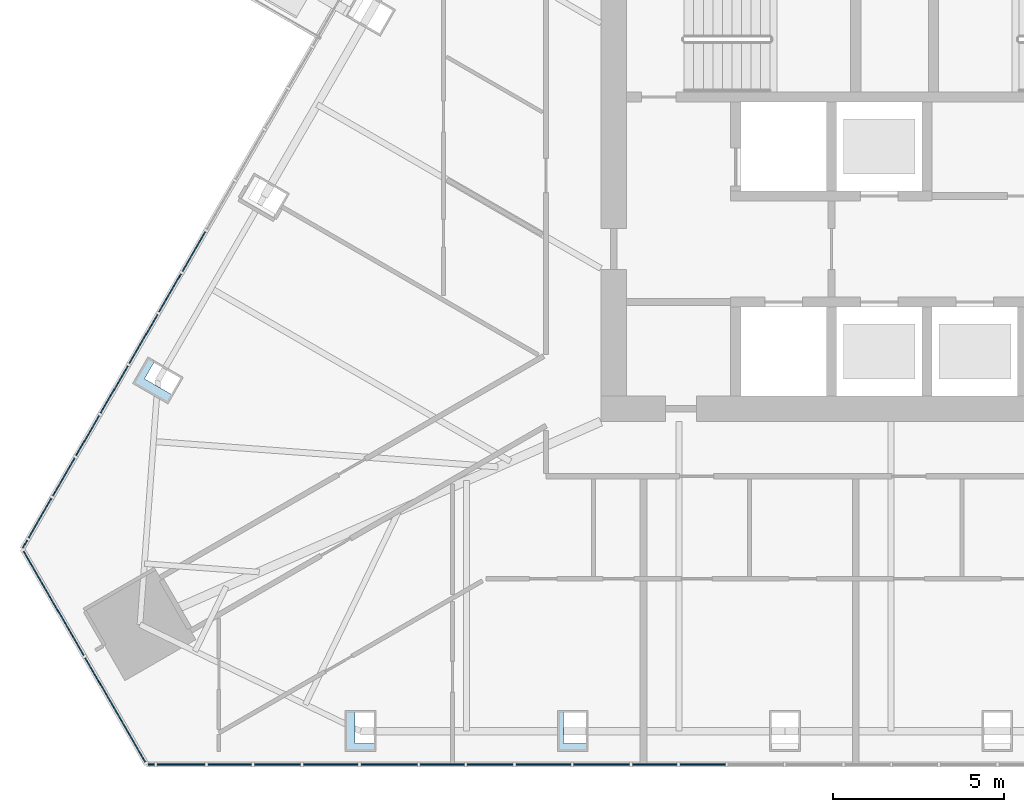
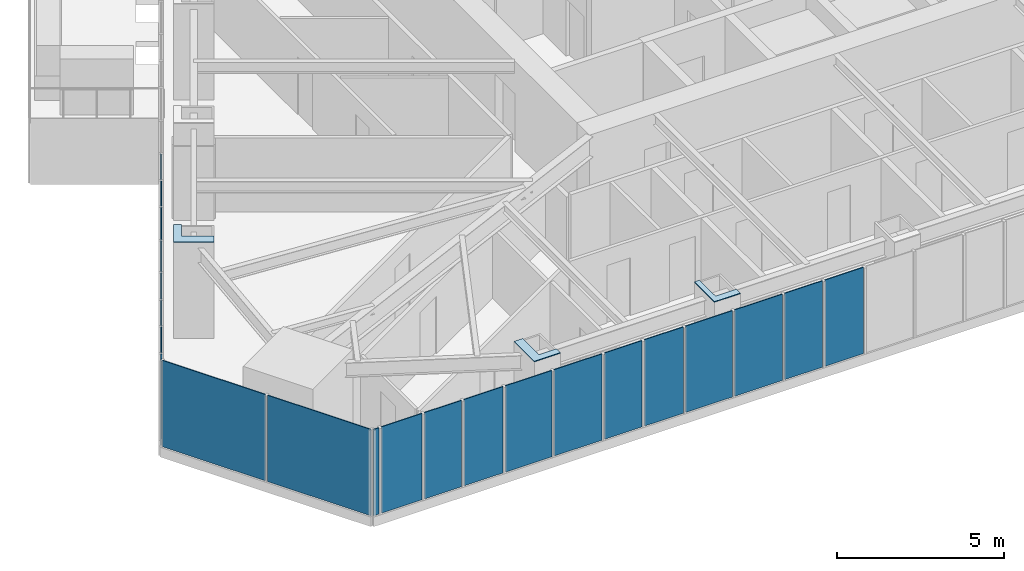
# One storey, part 10 of 22: 25 plates, 3 elements without a shape of their own.
"""IFC4 building model written with IfcOpenShell, lengths in metres."""

from ifc_helpers import new_model, si_unit, direction, frame, origin, place, context, subcontext, project, spatial, polyline, outline, extrude, material, layer, layer_set, type_object, element, aggregate, save


model = new_model("IFC4")

# Units and contexts
model_context = context("Model", 3, precision=1e-05, world=origin(), true_north=direction((0.0, 1.0)))
body_context = subcontext(model_context, "Body", "Model", "MODEL_VIEW")
ifc_project = project(units=[si_unit("LENGTHUNIT", "METRE"), si_unit("AREAUNIT", "SQUARE_METRE"), si_unit("VOLUMEUNIT", "CUBIC_METRE"), si_unit("PLANEANGLEUNIT", "RADIAN"), si_unit("MASSUNIT", "GRAM", prefix="KILO")], contexts=[model_context])

# Site, building, storey
site_placement = place(None, origin())
site = spatial("IfcSite", under=ifc_project, at=site_placement, CompositionType="ELEMENT")
building_placement = place(site_placement, origin())
building = spatial("IfcBuilding", under=site, at=building_placement, Name="Firuza Gate Tower and Library", CompositionType="ELEMENT")
storey_placement = place(building_placement, frame((0.0, 0.0, 295.10009765625)))
storey = spatial("IfcBuildingStorey", under=building, at=storey_placement, Name="L71", CompositionType="ELEMENT", Elevation=295.10009765625)

# Plates
ifc_material_1 = material(Name="Steel S355", Category="steel")
ifc_layer_1 = layer(ifc_material_1, 0.030029296875)
ifc_layer_set_1 = layer_set([ifc_layer_1], Name="Column infill plate 30 Steel S355")
plate_type_1 = type_object("IfcPlateType", Name="Column infill plate 30 Steel S355", PredefinedType="SHEET", material=ifc_layer_set_1)
placement_1 = place(storey_placement, frame((0.0, 0.0, 3.5)))
element("IfcPlate", 1, at=placement_1, inside=storey, type_object=plate_type_1, Name="Infill plate L71:S1", PredefinedType="SHEET", context=body_context, shape_type="SweptSolid", body=[
    extrude(outline(polyline([(59.916748046875, 58.587646484375), (59.916748046875, 58.82470703125), (59.31005859375, 58.82470703125), (59.31005859375, 59.78759765625), (59.0166015625, 59.78759765625), (59.0166015625, 58.587646484375), (59.916748046875, 58.587646484375)])), origin(), (0.0, 0.0, 1.0), 0.02978515625),
])
element("IfcPlate", 2, at=placement_1, inside=storey, type_object=plate_type_1, Name="Infill plate L71:S2", PredefinedType="SHEET", context=body_context, shape_type="SweptSolid", body=[
    extrude(outline(polyline([(66.1298828125, 58.587646484375), (66.1298828125, 58.82470703125), (65.406005859375, 58.82470703125), (65.406005859375, 59.78759765625), (65.22998046875, 59.78759765625), (65.22998046875, 58.587646484375), (66.1298828125, 58.587646484375)])), origin(), (0.0, 0.0, 1.0), 0.02978515625),
])
element("IfcPlate", 3, at=placement_1, inside=storey, type_object=plate_type_1, Name="Infill plate L71:W6", PredefinedType="SHEET", context=body_context, shape_type="SweptSolid", body=[
    extrude(outline(polyline([(53.833984375, 68.76416015625), (53.980712890625, 69.018310546875), (53.146728515625, 69.499755859375), (53.4501953125, 70.025146484375), (53.244873046875, 70.1435546875), (52.794921875, 69.3642578125), (53.833984375, 68.76416015625)])), origin(), (0.0, 0.0, 1.0), 0.02978515625),
])

# Curtain wall, plates
ifc_material_2 = material(Name="Aluminium 6063-T6", Category="aluminium")
ifc_layer_2 = layer(ifc_material_2, 0.14990234375)
ifc_layer_set_2 = layer_set([ifc_layer_2], Name="Corner curtain wall, chamfers")
curtain_wall_type_1 = type_object("IfcCurtainWallType", Name="Corner curtain wall, chamfers", PredefinedType="NOTDEFINED", material=ifc_layer_set_2)
placement_2 = place(storey_placement, origin())
curtain_wall_1 = element("IfcCurtainWall", 4, at=placement_2, inside=storey, type_object=curtain_wall_type_1, Name="CW4 L71 SW corner", PredefinedType="NOTDEFINED")
ifc_material_3 = material(Name="Fritted glass", Category="glass")
ifc_layer_3 = layer(ifc_material_3, 0.030029296875)
ifc_layer_set_3 = layer_set([ifc_layer_3], Name="Fritted glass unit, corners")
plate_type_2 = type_object("IfcPlateType", Name="Fritted glass unit, corners", PredefinedType="CURTAIN_PANEL", material=ifc_layer_set_3)
plate_4_placement = place(storey_placement, frame((49.57373046875, 64.48095703125, 0.14990234375), z_axis=(-0.866016723041, -0.500015035186, 0.0), x_axis=(0.500015035186, -0.866016723041, 0.0)))
plate_4 = element("IfcPlate", 5, at=plate_4_placement, type_object=plate_type_2, Name="Glass unit", PredefinedType="CURTAIN_PANEL", context=body_context, shape_type="SweptSolid", body=[
    extrude(outline(polyline([(0.0, 0.0), (3.5633694106530625, 0.0), (3.5633694106530625, 3.14990234375), (0.0, 3.14990234375), (0.0, 0.0)])), origin(), (0.0, 0.0, -1.0), 0.030029296875),
])
plate_5_placement = place(storey_placement, frame((51.3955078125, 61.32568359375, 0.14990234375), z_axis=(-0.866046390552, -0.49996364809, 0.0), x_axis=(0.49996364809, -0.866046390552, 0.0)))
plate_5 = element("IfcPlate", 6, at=plate_5_placement, type_object=plate_type_2, Name="Glass unit", PredefinedType="CURTAIN_PANEL", context=body_context, shape_type="SweptSolid", body=[
    extrude(outline(polyline([(0.0, 0.0), (3.563247342942594, 0.0), (3.563247342942594, 3.14990234375), (0.0, 3.14990234375), (0.0, 0.0)])), origin(), (0.0, 0.0, -1.0), 0.030029296875),
])
aggregate(curtain_wall_1, [plate_4, plate_5])

ifc_material_4 = material(Name="Aluminium 6063-T6", Category="aluminium")
ifc_layer_4 = layer(ifc_material_4, 0.14990234375)
ifc_layer_set_4 = layer_set([ifc_layer_4], Name="Unitised curtain wall, residences")
curtain_wall_type_2 = type_object("IfcCurtainWallType", Name="Unitised curtain wall, residences", PredefinedType="NOTDEFINED", material=ifc_layer_set_4)
curtain_wall_2 = element("IfcCurtainWall", 7, at=placement_2, inside=storey, type_object=curtain_wall_type_2, Name="CW3 L71 S face", PredefinedType="NOTDEFINED")
ifc_material_5 = material(Name="Fritted glass", Category="glass")
ifc_layer_5 = layer(ifc_material_5, 0.030029296875)
ifc_layer_set_5 = layer_set([ifc_layer_5], Name="Fritted glass unit, residences")
plate_type_3 = type_object("IfcPlateType", Name="Fritted glass unit, residences", PredefinedType="CURTAIN_PANEL", material=ifc_layer_set_5)
plate_6_placement = place(storey_placement, frame((53.51611328125, 58.19775390625, 0.14990234375), z_axis=(0.0, -1.0, 0.0), x_axis=(1.0, 0.0, 0.0)))
plate_6 = element("IfcPlate", 8, at=plate_6_placement, type_object=plate_type_3, Name="Glass unit", PredefinedType="CURTAIN_PANEL", context=body_context, shape_type="SweptSolid", body=[
    extrude(outline(polyline([(0.0, 0.0), (1.405517578125, 0.0), (1.405517578125, 3.14990234375), (0.0, 3.14990234375), (0.0, 0.0)])), origin(), (0.0, 0.0, -1.0), 0.030029296875),
])
plate_7_placement = place(storey_placement, frame((57.798583984375, 58.19775390625, 0.14990234375), z_axis=(0.0, -1.0, 0.0), x_axis=(1.0, 0.0, 0.0)))
plate_7 = element("IfcPlate", 9, at=plate_7_placement, type_object=plate_type_3, Name="Glass unit", PredefinedType="CURTAIN_PANEL", context=body_context, shape_type="SweptSolid", body=[
    extrude(outline(polyline([(0.0, 0.0), (1.59716796875, 0.0), (1.59716796875, 3.14990234375), (0.0, 3.14990234375), (0.0, 0.0)])), origin(), (0.0, 0.0, -1.0), 0.030029296875),
])
plate_8_placement = place(storey_placement, frame((59.475830078125, 58.19775390625, 0.14990234375), z_axis=(0.0, -1.0, 0.0), x_axis=(1.0, 0.0, 0.0)))
plate_8 = element("IfcPlate", 10, at=plate_8_placement, type_object=plate_type_3, Name="Glass unit", PredefinedType="CURTAIN_PANEL", context=body_context, shape_type="SweptSolid", body=[
    extrude(outline(polyline([(0.0, 0.0), (1.658935546875, 0.0), (1.658935546875, 3.14990234375), (0.0, 3.14990234375), (0.0, 0.0)])), origin(), (0.0, 0.0, -1.0), 0.030029296875),
])
plate_9_placement = place(storey_placement, frame((64.01171875, 58.19775390625, 0.14990234375), z_axis=(0.0, -1.0, 0.0), x_axis=(1.0, 0.0, 0.0)))
plate_9 = element("IfcPlate", 11, at=plate_9_placement, type_object=plate_type_3, Name="Glass unit", PredefinedType="CURTAIN_PANEL", context=body_context, shape_type="SweptSolid", body=[
    extrude(outline(polyline([(0.0, 0.0), (1.609619140625, 0.0), (1.609619140625, 3.14990234375), (0.0, 3.14990234375), (0.0, 0.0)])), origin(), (0.0, 0.0, -1.0), 0.030029296875),
])
plate_10_placement = place(storey_placement, frame((65.701416015625, 58.19775390625, 0.14990234375), z_axis=(0.0, -1.0, 0.0), x_axis=(1.0, 0.0, 0.0)))
plate_10 = element("IfcPlate", 12, at=plate_10_placement, type_object=plate_type_3, Name="Glass unit", PredefinedType="CURTAIN_PANEL", context=body_context, shape_type="SweptSolid", body=[
    extrude(outline(polyline([(0.0, 0.0), (1.646728515625, 0.0), (1.646728515625, 3.14990234375), (0.0, 3.14990234375), (0.0, 0.0)])), origin(), (0.0, 0.0, -1.0), 0.030029296875),
])

curtain_wall_3 = element("IfcCurtainWall", 13, at=placement_2, inside=storey, type_object=curtain_wall_type_2, Name="CW3 L71 W face", PredefinedType="NOTDEFINED")
plate_11_placement = place(storey_placement, frame((53.51611328125, 71.3935546875, 0.14990234375), z_axis=(-0.866006690807, 0.500032410427, 0.0), x_axis=(-0.500032410427, -0.866006690807, 0.0)))
plate_11 = element("IfcPlate", 14, at=plate_11_placement, type_object=plate_type_3, Name="Glass unit", PredefinedType="CURTAIN_PANEL", context=body_context, shape_type="SweptSolid", body=[
    extrude(outline(polyline([(0.0, 0.0), (1.6590721450269508, 0.0), (1.6590721450269508, 3.14990234375), (0.0, 3.14990234375), (0.0, 0.0)])), origin(), (0.0, 0.0, -1.0), 0.030029296875),
])
plate_12_placement = place(storey_placement, frame((52.646484375, 69.887451171875, 0.14990234375), z_axis=(-0.866043049997, 0.499969434617, 0.0), x_axis=(-0.499969434617, -0.866043049997, 0.0)))
plate_12 = element("IfcPlate", 15, at=plate_12_placement, type_object=plate_type_3, Name="Glass unit", PredefinedType="CURTAIN_PANEL", context=body_context, shape_type="SweptSolid", body=[
    extrude(outline(polyline([(0.0, 0.0), (1.597265610819663, 0.0), (1.597265610819663, 3.14990234375), (0.0, 3.14990234375), (0.0, 0.0)])), origin(), (0.0, 0.0, -1.0), 0.030029296875),
])
plate_13_placement = place(storey_placement, frame((50.409423828125, 66.0126953125, 0.14990234375), z_axis=(-0.866003567665, 0.500037819361, 0.0), x_axis=(-0.500037819361, -0.866003567665, 0.0)))
plate_13 = element("IfcPlate", 16, at=plate_13_placement, type_object=plate_type_3, Name="Glass unit", PredefinedType="CURTAIN_PANEL", context=body_context, shape_type="SweptSolid", body=[
    extrude(outline(polyline([(0.0, 0.0), (1.3402306579164724, 0.0), (1.3402306579164724, 3.14990234375), (0.0, 3.14990234375), (0.0, 0.0)])), origin(), (0.0, 0.0, -1.0), 0.030029296875),
])

# Plate
ifc_material_6 = material(Name="Glazed ceramic tile")
ifc_layer_6 = layer(ifc_material_6, 0.030029296875)
ifc_layer_set_6 = layer_set([ifc_layer_6], Name="Opaque ceramic panel, residences")
plate_type_4 = type_object("IfcPlateType", Name="Opaque ceramic panel, residences", PredefinedType="CURTAIN_PANEL", material=ifc_layer_set_6)
plate_14_placement = place(storey_placement, frame((53.25, 58.19775390625, 0.14990234375), z_axis=(0.0, -1.0, 0.0), x_axis=(1.0, 0.0, 0.0)))
plate_14 = element("IfcPlate", 17, at=plate_14_placement, type_object=plate_type_4, Name="Opaque ceramic panel", PredefinedType="CURTAIN_PANEL", context=body_context, shape_type="SweptSolid", body=[
    extrude(outline(polyline([(0.0, 0.0), (0.18603515625, 0.0), (0.18603515625, 3.14990234375), (0.0, 3.14990234375), (0.0, 0.0)])), origin(), (0.0, 0.0, -1.0), 0.030029296875),
])

plate_15_placement = place(storey_placement, frame((55.00146484375, 58.19775390625, 0.14990234375), z_axis=(0.0, -1.0, 0.0), x_axis=(1.0, 0.0, 0.0)))
plate_15 = element("IfcPlate", 18, at=plate_15_placement, type_object=plate_type_4, Name="Opaque ceramic panel", PredefinedType="CURTAIN_PANEL", context=body_context, shape_type="SweptSolid", body=[
    extrude(outline(polyline([(0.0, 0.0), (1.281494140625, 0.0), (1.281494140625, 3.14990234375), (0.0, 3.14990234375), (0.0, 0.0)])), origin(), (0.0, 0.0, -1.0), 0.030029296875),
])

plate_16_placement = place(storey_placement, frame((56.36279296875, 58.19775390625, 0.14990234375), z_axis=(0.0, -1.0, 0.0), x_axis=(1.0, 0.0, 0.0)))
plate_16 = element("IfcPlate", 19, at=plate_16_placement, type_object=plate_type_4, Name="Opaque ceramic panel", PredefinedType="CURTAIN_PANEL", context=body_context, shape_type="SweptSolid", body=[
    extrude(outline(polyline([(0.0, 0.0), (1.355712890625, 0.0), (1.355712890625, 3.14990234375), (0.0, 3.14990234375), (0.0, 0.0)])), origin(), (0.0, 0.0, -1.0), 0.030029296875),
])

plate_17_placement = place(storey_placement, frame((61.21484375, 58.19775390625, 0.14990234375), z_axis=(0.0, -1.0, 0.0), x_axis=(1.0, 0.0, 0.0)))
plate_17 = element("IfcPlate", 20, at=plate_17_placement, type_object=plate_type_4, Name="Opaque ceramic panel", PredefinedType="CURTAIN_PANEL", context=body_context, shape_type="SweptSolid", body=[
    extrude(outline(polyline([(0.0, 0.0), (1.293701171875, 0.0), (1.293701171875, 3.14990234375), (0.0, 3.14990234375), (0.0, 0.0)])), origin(), (0.0, 0.0, -1.0), 0.030029296875),
])

plate_18_placement = place(storey_placement, frame((62.588623046875, 58.19775390625, 0.14990234375), z_axis=(0.0, -1.0, 0.0), x_axis=(1.0, 0.0, 0.0)))
plate_18 = element("IfcPlate", 21, at=plate_18_placement, type_object=plate_type_4, Name="Opaque ceramic panel", PredefinedType="CURTAIN_PANEL", context=body_context, shape_type="SweptSolid", body=[
    extrude(outline(polyline([(0.0, 0.0), (1.34326171875, 0.0), (1.34326171875, 3.14990234375), (0.0, 3.14990234375), (0.0, 0.0)])), origin(), (0.0, 0.0, -1.0), 0.030029296875),
])

plate_19_placement = place(storey_placement, frame((67.42822265625, 58.19775390625, 0.14990234375), z_axis=(0.0, -1.0, 0.0), x_axis=(1.0, 0.0, 0.0)))
plate_19 = element("IfcPlate", 22, at=plate_19_placement, type_object=plate_type_4, Name="Opaque ceramic panel", PredefinedType="CURTAIN_PANEL", context=body_context, shape_type="SweptSolid", body=[
    extrude(outline(polyline([(0.0, 0.0), (1.30615234375, 0.0), (1.30615234375, 3.14990234375), (0.0, 3.14990234375), (0.0, 0.0)])), origin(), (0.0, 0.0, -1.0), 0.030029296875),
])

plate_20_placement = place(storey_placement, frame((68.814208984375, 58.19775390625, 0.14990234375), z_axis=(0.0, -1.0, 0.0), x_axis=(1.0, 0.0, 0.0)))
plate_20 = element("IfcPlate", 23, at=plate_20_placement, type_object=plate_type_4, Name="Opaque ceramic panel", PredefinedType="CURTAIN_PANEL", context=body_context, shape_type="SweptSolid", body=[
    extrude(outline(polyline([(0.0, 0.0), (1.3310546875, 0.0), (1.3310546875, 3.14990234375), (0.0, 3.14990234375), (0.0, 0.0)])), origin(), (0.0, 0.0, -1.0), 0.030029296875),
])

aggregate(curtain_wall_2, [plate_14, plate_6, plate_15, plate_16, plate_7, plate_8, plate_17, plate_18, plate_9, plate_10, plate_19, plate_20])

plate_21_placement = place(storey_placement, frame((54.91455078125, 73.81591796875, 0.14990234375), z_axis=(-0.866031230052, 0.499989908473, 0.0), x_axis=(-0.499989908473, -0.866031230052, 0.0)))
plate_21 = element("IfcPlate", 24, at=plate_21_placement, type_object=plate_type_4, Name="Opaque ceramic panel", PredefinedType="CURTAIN_PANEL", context=body_context, shape_type="SweptSolid", body=[
    extrude(outline(polyline([(0.0, 0.0), (1.3432888304214845, 0.0), (1.3432888304214845, 3.14990234375), (0.0, 3.14990234375), (0.0, 0.0)])), origin(), (0.0, 0.0, -1.0), 0.030029296875),
])

plate_22_placement = place(storey_placement, frame((54.203125, 72.583251953125, 0.14990234375), z_axis=(-0.865981306888, 0.500076370288, 0.0), x_axis=(-0.500076370288, -0.865981306888, 0.0)))
plate_22 = element("IfcPlate", 25, at=plate_22_placement, type_object=plate_type_4, Name="Opaque ceramic panel", PredefinedType="CURTAIN_PANEL", context=body_context, shape_type="SweptSolid", body=[
    extrude(outline(polyline([(0.0, 0.0), (1.2937477047296333, 0.0), (1.2937477047296333, 3.14990234375), (0.0, 3.14990234375), (0.0, 0.0)])), origin(), (0.0, 0.0, -1.0), 0.030029296875),
])

plate_23_placement = place(storey_placement, frame((51.807861328125, 68.43505859375, 0.14990234375), z_axis=(-0.866062633531, 0.499935510643, 0.0), x_axis=(-0.499935510643, -0.866062633531, 0.0)))
plate_23 = element("IfcPlate", 26, at=plate_23_placement, type_object=plate_type_4, Name="Opaque ceramic panel", PredefinedType="CURTAIN_PANEL", context=body_context, shape_type="SweptSolid", body=[
    extrude(outline(polyline([(0.0, 0.0), (1.3556435991684768, 0.0), (1.3556435991684768, 3.14990234375), (0.0, 3.14990234375), (0.0, 0.0)])), origin(), (0.0, 0.0, -1.0), 0.030029296875),
])

plate_24_placement = place(storey_placement, frame((51.090087890625, 67.191650390625, 0.14990234375), z_axis=(-0.866030104553, 0.499991857942, 0.0), x_axis=(-0.499991857942, -0.866030104553, 0.0)))
plate_24 = element("IfcPlate", 27, at=plate_24_placement, type_object=plate_type_4, Name="Opaque ceramic panel", PredefinedType="CURTAIN_PANEL", context=body_context, shape_type="SweptSolid", body=[
    extrude(outline(polyline([(0.0, 0.0), (1.2812708643633335, 0.0), (1.2812708643633335, 3.14990234375), (0.0, 3.14990234375), (0.0, 0.0)])), origin(), (0.0, 0.0, -1.0), 0.030029296875),
])

plate_25_placement = place(storey_placement, frame((49.69921875, 64.78271484375, 0.14990234375), z_axis=(-0.866201770413, 0.499694399542, 0.0), x_axis=(-0.499694399542, -0.866201770413, 0.0)))
plate_25 = element("IfcPlate", 28, at=plate_25_placement, type_object=plate_type_4, Name="Opaque ceramic panel", PredefinedType="CURTAIN_PANEL", context=body_context, shape_type="SweptSolid", body=[
    extrude(outline(polyline([(0.0, 0.0), (0.25113005341856437, 0.0), (0.25113005341856437, 3.14990234375), (0.0, 3.14990234375), (0.0, 0.0)])), origin(), (0.0, 0.0, -1.0), 0.030029296875),
])

aggregate(curtain_wall_3, [plate_21, plate_22, plate_11, plate_12, plate_23, plate_24, plate_13, plate_25])

save(model, "model.ifc")
